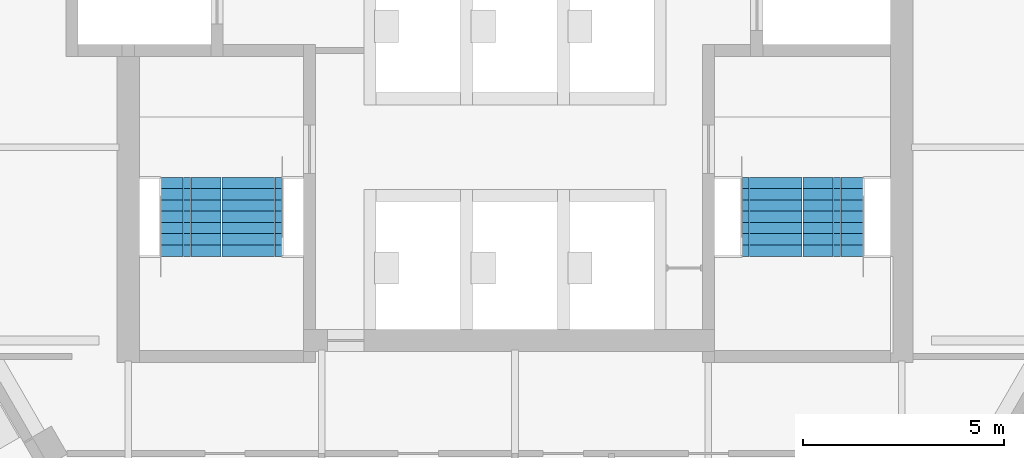
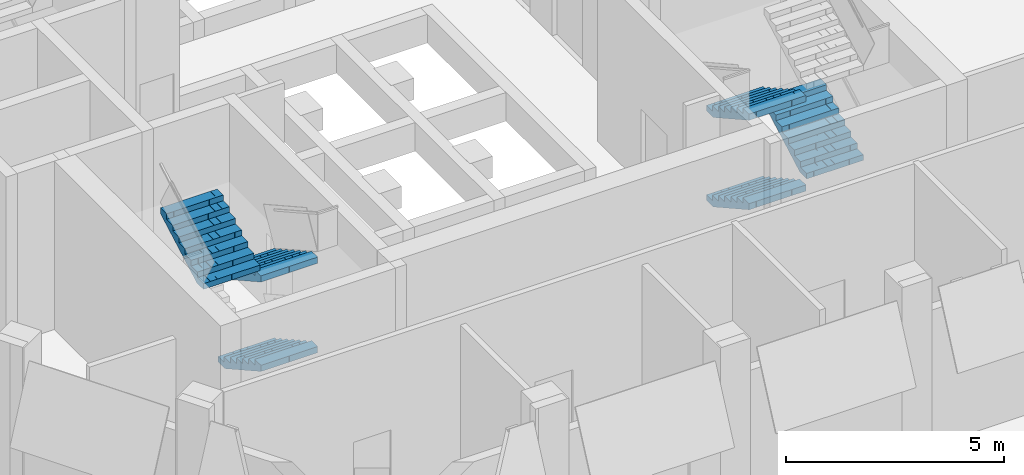
# One storey, part 6 of 9: 6 stair flights, 2 elements without a shape of their own.
"""IFC4 building model written with IfcOpenShell, lengths in metres."""

from ifc_helpers import new_model, si_unit, direction, frame, origin, place, context, subcontext, project, spatial, polyline, outline, extrude, material, type_object, element, aggregate, save


model = new_model("IFC4")

# Units and contexts
model_context = context("Model", 3, precision=1e-05, world=origin(), true_north=direction((0.0, 1.0)))
body_context = subcontext(model_context, "Body", "Model", "MODEL_VIEW")
ifc_project = project(units=[si_unit("LENGTHUNIT", "METRE"), si_unit("AREAUNIT", "SQUARE_METRE"), si_unit("VOLUMEUNIT", "CUBIC_METRE"), si_unit("PLANEANGLEUNIT", "RADIAN"), si_unit("MASSUNIT", "GRAM", prefix="KILO")], contexts=[model_context])

# Site, building, storey
site_placement = place(None, origin())
site = spatial("IfcSite", under=ifc_project, at=site_placement, CompositionType="ELEMENT")
building_placement = place(site_placement, origin())
building = spatial("IfcBuilding", under=site, at=building_placement, Name="Kolab Exchange Tower", CompositionType="ELEMENT")
storey_placement = place(building_placement, frame((0.0, 0.0, 296.89990234375)))
storey = spatial("IfcBuildingStorey", under=building, at=storey_placement, Name="L67", CompositionType="ELEMENT", Elevation=296.89990234375)

# Stair, stair flights
ifc_material = material(Name="Concrete C50/60", Category="concrete")
stair_type_1 = type_object("IfcStairType", Name="STAIR ST3 RISER 156.2", PredefinedType="DOUBLE_RETURN_STAIR", material=ifc_material)
stair_1_placement = place(storey_placement, origin())
stair_1 = element("IfcStair", 1, at=stair_1_placement, inside=storey, type_object=stair_type_1, Name="Stair 3", PredefinedType="DOUBLE_RETURN_STAIR")
stair_flight_type = type_object("IfcStairFlightType", Name="STAIR FLIGHT 1500 RISER 156.2", PredefinedType="STRAIGHT", material=ifc_material)
stair_flight_1_placement = place(storey_placement, frame((-6.527587890625, -5.550048828125, 0.0), z_axis=(0.0, 0.0, 1.0), x_axis=(0.0, -1.0, 0.0)))
stair_flight_1 = element("IfcStairFlight", 2, at=stair_flight_1_placement, type_object=stair_flight_type, Name="ST3 flight 1", NumberOfRisers=8, NumberOfTreads=7, PredefinedType="STRAIGHT", RiserHeight=0.15625, TreadLength=0.28, context=body_context, shape_type="SweptSolid", body=[
    extrude(outline(polyline([(0.0, 0.0), (0.0, 0.15625), (0.280029296875, 0.15625), (0.280029296875, 0.3125), (0.56005859375, 0.3125), (0.56005859375, 0.46875), (0.840087890625, 0.46875), (0.840087890625, 0.625), (1.1201171875, 0.625), (1.1201171875, 0.78125), (1.39990234375, 0.78125), (1.39990234375, 0.9375), (1.679931640625, 0.9375), (1.679931640625, 1.09375), (1.9599609375, 1.09375), (1.9599609375, 1.25), (1.9599609375, 0.922119140625), (0.3076171875, 0.0), (0.0, 0.0)])), frame((0.0, 0.75, 0.0), z_axis=(0.0, -1.0, 0.0), x_axis=(1.0, 0.0, 0.0)), (0.0, 0.0, 1.0), 0.185791015625),
    extrude(outline(polyline([(0.0, 0.0), (0.0, 0.15625), (0.280029296875, 0.15625), (0.280029296875, 0.3125), (0.56005859375, 0.3125), (0.56005859375, 0.46875), (0.840087890625, 0.46875), (0.840087890625, 0.625), (1.1201171875, 0.625), (1.1201171875, 0.78125), (1.39990234375, 0.78125), (1.39990234375, 0.9375), (1.679931640625, 0.9375), (1.679931640625, 1.09375), (1.9599609375, 1.09375), (1.9599609375, 1.25), (1.9599609375, 0.922119140625), (0.3076171875, 0.0), (0.0, 0.0)])), frame((0.0, 0.562255859375, 0.0), z_axis=(0.0, -1.0, 0.0), x_axis=(1.0, 0.0, 0.0)), (0.0, 0.0, 1.0), 0.185791015625),
    extrude(outline(polyline([(0.0, 0.0), (0.0, 0.15625), (0.280029296875, 0.15625), (0.280029296875, 0.3125), (0.56005859375, 0.3125), (0.56005859375, 0.46875), (0.840087890625, 0.46875), (0.840087890625, 0.625), (1.1201171875, 0.625), (1.1201171875, 0.78125), (1.39990234375, 0.78125), (1.39990234375, 0.9375), (1.679931640625, 0.9375), (1.679931640625, 1.09375), (1.9599609375, 1.09375), (1.9599609375, 1.25), (1.9599609375, 0.922119140625), (0.3076171875, 0.0), (0.0, 0.0)])), frame((0.0, 0.37451171875, 0.0), z_axis=(0.0, -1.0, 0.0), x_axis=(1.0, 0.0, 0.0)), (0.0, 0.0, 1.0), 0.185791015625),
    extrude(outline(polyline([(0.0, 0.0), (0.0, 0.15625), (0.280029296875, 0.15625), (0.280029296875, 0.3125), (0.56005859375, 0.3125), (0.56005859375, 0.46875), (0.840087890625, 0.46875), (0.840087890625, 0.625), (1.1201171875, 0.625), (1.1201171875, 0.78125), (1.39990234375, 0.78125), (1.39990234375, 0.9375), (1.679931640625, 0.9375), (1.679931640625, 1.09375), (1.9599609375, 1.09375), (1.9599609375, 1.25), (1.9599609375, 0.922119140625), (0.3076171875, 0.0), (0.0, 0.0)])), frame((0.0, 0.186767578125, 0.0), z_axis=(0.0, -1.0, 0.0), x_axis=(1.0, 0.0, 0.0)), (0.0, 0.0, 1.0), 0.185791015625),
    extrude(outline(polyline([(0.0, 0.0), (0.0, 0.15625), (0.280029296875, 0.15625), (0.280029296875, 0.3125), (0.56005859375, 0.3125), (0.56005859375, 0.46875), (0.840087890625, 0.46875), (0.840087890625, 0.625), (1.1201171875, 0.625), (1.1201171875, 0.78125), (1.39990234375, 0.78125), (1.39990234375, 0.9375), (1.679931640625, 0.9375), (1.679931640625, 1.09375), (1.9599609375, 1.09375), (1.9599609375, 1.25), (1.9599609375, 0.922119140625), (0.3076171875, 0.0), (0.0, 0.0)])), frame((0.0, -0.0009765625, 0.0), z_axis=(0.0, -1.0, 0.0), x_axis=(1.0, 0.0, 0.0)), (0.0, 0.0, 1.0), 0.185791015625),
    extrude(outline(polyline([(0.0, 0.0), (0.0, 0.15625), (0.280029296875, 0.15625), (0.280029296875, 0.3125), (0.56005859375, 0.3125), (0.56005859375, 0.46875), (0.840087890625, 0.46875), (0.840087890625, 0.625), (1.1201171875, 0.625), (1.1201171875, 0.78125), (1.39990234375, 0.78125), (1.39990234375, 0.9375), (1.679931640625, 0.9375), (1.679931640625, 1.09375), (1.9599609375, 1.09375), (1.9599609375, 1.25), (1.9599609375, 0.922119140625), (0.3076171875, 0.0), (0.0, 0.0)])), frame((0.0, -0.188720703125, 0.0), z_axis=(0.0, -1.0, 0.0), x_axis=(1.0, 0.0, 0.0)), (0.0, 0.0, 1.0), 0.185791015625),
    extrude(outline(polyline([(0.0, 0.0), (0.0, 0.15625), (0.280029296875, 0.15625), (0.280029296875, 0.3125), (0.56005859375, 0.3125), (0.56005859375, 0.46875), (0.840087890625, 0.46875), (0.840087890625, 0.625), (1.1201171875, 0.625), (1.1201171875, 0.78125), (1.39990234375, 0.78125), (1.39990234375, 0.9375), (1.679931640625, 0.9375), (1.679931640625, 1.09375), (1.9599609375, 1.09375), (1.9599609375, 1.25), (1.9599609375, 0.922119140625), (0.3076171875, 0.0), (0.0, 0.0)])), frame((0.0, -0.37646484375, 0.0), z_axis=(0.0, -1.0, 0.0), x_axis=(1.0, 0.0, 0.0)), (0.0, 0.0, 1.0), 0.185791015625),
    extrude(outline(polyline([(0.0, 0.0), (0.0, 0.15625), (0.280029296875, 0.15625), (0.280029296875, 0.3125), (0.56005859375, 0.3125), (0.56005859375, 0.46875), (0.840087890625, 0.46875), (0.840087890625, 0.625), (1.1201171875, 0.625), (1.1201171875, 0.78125), (1.39990234375, 0.78125), (1.39990234375, 0.9375), (1.679931640625, 0.9375), (1.679931640625, 1.09375), (1.9599609375, 1.09375), (1.9599609375, 1.25), (1.9599609375, 0.922119140625), (0.3076171875, 0.0), (0.0, 0.0)])), frame((0.0, -0.564208984375, 0.0), z_axis=(0.0, -1.0, 0.0), x_axis=(1.0, 0.0, 0.0)), (0.0, 0.0, 1.0), 0.185791015625),
])
stair_flight_2_placement = place(storey_placement, frame((-6.527587890625, -5.550048828125, 2.5), z_axis=(0.0, 0.0, 1.0), x_axis=(0.0, -1.0, 0.0)))
stair_flight_2 = element("IfcStairFlight", 3, at=stair_flight_2_placement, type_object=stair_flight_type, Name="ST3 flight 3", NumberOfRisers=8, NumberOfTreads=7, PredefinedType="STRAIGHT", RiserHeight=0.15625, TreadLength=0.28, context=body_context, shape_type="SweptSolid", body=[
    extrude(outline(polyline([(0.0, 0.0), (0.0, 0.15625), (0.280029296875, 0.15625), (0.280029296875, 0.3125), (0.56005859375, 0.3125), (0.56005859375, 0.46875), (0.840087890625, 0.46875), (0.840087890625, 0.625), (1.1201171875, 0.625), (1.1201171875, 0.78125), (1.39990234375, 0.78125), (1.39990234375, 0.9375), (1.679931640625, 0.9375), (1.679931640625, 1.09375), (1.9599609375, 1.09375), (1.9599609375, 1.25), (1.9599609375, 0.922119140625), (0.3076171875, 0.0), (0.0, 0.0)])), frame((0.0, 0.75, 0.0), z_axis=(0.0, -1.0, 0.0), x_axis=(1.0, 0.0, 0.0)), (0.0, 0.0, 1.0), 0.185791015625),
    extrude(outline(polyline([(0.0, 0.0), (0.0, 0.15625), (0.280029296875, 0.15625), (0.280029296875, 0.3125), (0.56005859375, 0.3125), (0.56005859375, 0.46875), (0.840087890625, 0.46875), (0.840087890625, 0.625), (1.1201171875, 0.625), (1.1201171875, 0.78125), (1.39990234375, 0.78125), (1.39990234375, 0.9375), (1.679931640625, 0.9375), (1.679931640625, 1.09375), (1.9599609375, 1.09375), (1.9599609375, 1.25), (1.9599609375, 0.922119140625), (0.3076171875, 0.0), (0.0, 0.0)])), frame((0.0, 0.562255859375, 0.0), z_axis=(0.0, -1.0, 0.0), x_axis=(1.0, 0.0, 0.0)), (0.0, 0.0, 1.0), 0.185791015625),
    extrude(outline(polyline([(0.0, 0.0), (0.0, 0.15625), (0.280029296875, 0.15625), (0.280029296875, 0.3125), (0.56005859375, 0.3125), (0.56005859375, 0.46875), (0.840087890625, 0.46875), (0.840087890625, 0.625), (1.1201171875, 0.625), (1.1201171875, 0.78125), (1.39990234375, 0.78125), (1.39990234375, 0.9375), (1.679931640625, 0.9375), (1.679931640625, 1.09375), (1.9599609375, 1.09375), (1.9599609375, 1.25), (1.9599609375, 0.922119140625), (0.3076171875, 0.0), (0.0, 0.0)])), frame((0.0, 0.37451171875, 0.0), z_axis=(0.0, -1.0, 0.0), x_axis=(1.0, 0.0, 0.0)), (0.0, 0.0, 1.0), 0.185791015625),
    extrude(outline(polyline([(0.0, 0.0), (0.0, 0.15625), (0.280029296875, 0.15625), (0.280029296875, 0.3125), (0.56005859375, 0.3125), (0.56005859375, 0.46875), (0.840087890625, 0.46875), (0.840087890625, 0.625), (1.1201171875, 0.625), (1.1201171875, 0.78125), (1.39990234375, 0.78125), (1.39990234375, 0.9375), (1.679931640625, 0.9375), (1.679931640625, 1.09375), (1.9599609375, 1.09375), (1.9599609375, 1.25), (1.9599609375, 0.922119140625), (0.3076171875, 0.0), (0.0, 0.0)])), frame((0.0, 0.186767578125, 0.0), z_axis=(0.0, -1.0, 0.0), x_axis=(1.0, 0.0, 0.0)), (0.0, 0.0, 1.0), 0.185791015625),
    extrude(outline(polyline([(0.0, 0.0), (0.0, 0.15625), (0.280029296875, 0.15625), (0.280029296875, 0.3125), (0.56005859375, 0.3125), (0.56005859375, 0.46875), (0.840087890625, 0.46875), (0.840087890625, 0.625), (1.1201171875, 0.625), (1.1201171875, 0.78125), (1.39990234375, 0.78125), (1.39990234375, 0.9375), (1.679931640625, 0.9375), (1.679931640625, 1.09375), (1.9599609375, 1.09375), (1.9599609375, 1.25), (1.9599609375, 0.922119140625), (0.3076171875, 0.0), (0.0, 0.0)])), frame((0.0, -0.0009765625, 0.0), z_axis=(0.0, -1.0, 0.0), x_axis=(1.0, 0.0, 0.0)), (0.0, 0.0, 1.0), 0.185791015625),
    extrude(outline(polyline([(0.0, 0.0), (0.0, 0.15625), (0.280029296875, 0.15625), (0.280029296875, 0.3125), (0.56005859375, 0.3125), (0.56005859375, 0.46875), (0.840087890625, 0.46875), (0.840087890625, 0.625), (1.1201171875, 0.625), (1.1201171875, 0.78125), (1.39990234375, 0.78125), (1.39990234375, 0.9375), (1.679931640625, 0.9375), (1.679931640625, 1.09375), (1.9599609375, 1.09375), (1.9599609375, 1.25), (1.9599609375, 0.922119140625), (0.3076171875, 0.0), (0.0, 0.0)])), frame((0.0, -0.188720703125, 0.0), z_axis=(0.0, -1.0, 0.0), x_axis=(1.0, 0.0, 0.0)), (0.0, 0.0, 1.0), 0.185791015625),
    extrude(outline(polyline([(0.0, 0.0), (0.0, 0.15625), (0.280029296875, 0.15625), (0.280029296875, 0.3125), (0.56005859375, 0.3125), (0.56005859375, 0.46875), (0.840087890625, 0.46875), (0.840087890625, 0.625), (1.1201171875, 0.625), (1.1201171875, 0.78125), (1.39990234375, 0.78125), (1.39990234375, 0.9375), (1.679931640625, 0.9375), (1.679931640625, 1.09375), (1.9599609375, 1.09375), (1.9599609375, 1.25), (1.9599609375, 0.922119140625), (0.3076171875, 0.0), (0.0, 0.0)])), frame((0.0, -0.37646484375, 0.0), z_axis=(0.0, -1.0, 0.0), x_axis=(1.0, 0.0, 0.0)), (0.0, 0.0, 1.0), 0.185791015625),
    extrude(outline(polyline([(0.0, 0.0), (0.0, 0.15625), (0.280029296875, 0.15625), (0.280029296875, 0.3125), (0.56005859375, 0.3125), (0.56005859375, 0.46875), (0.840087890625, 0.46875), (0.840087890625, 0.625), (1.1201171875, 0.625), (1.1201171875, 0.78125), (1.39990234375, 0.78125), (1.39990234375, 0.9375), (1.679931640625, 0.9375), (1.679931640625, 1.09375), (1.9599609375, 1.09375), (1.9599609375, 1.25), (1.9599609375, 0.922119140625), (0.3076171875, 0.0), (0.0, 0.0)])), frame((0.0, -0.564208984375, 0.0), z_axis=(0.0, -1.0, 0.0), x_axis=(1.0, 0.0, 0.0)), (0.0, 0.0, 1.0), 0.185791015625),
])
stair_flight_3_placement = place(storey_placement, frame((-8.047607421875, -7.510009765625, 3.75), z_axis=(0.0, 0.0, 1.0), x_axis=(0.0, 1.0, 0.0)))
stair_flight_3 = element("IfcStairFlight", 4, at=stair_flight_3_placement, type_object=stair_flight_type, Name="ST3 flight 4", NumberOfRisers=8, NumberOfTreads=7, PredefinedType="STRAIGHT", RiserHeight=0.15625, TreadLength=0.28, context=body_context, shape_type="SweptSolid", body=[
    extrude(outline(polyline([(0.0, 0.0), (0.0, 0.15625), (0.280029296875, 0.15625), (0.280029296875, 0.3125), (0.56005859375, 0.3125), (0.56005859375, 0.46875), (0.840087890625, 0.46875), (0.840087890625, 0.625), (1.1201171875, 0.625), (1.1201171875, 0.78125), (1.39990234375, 0.78125), (1.39990234375, 0.9375), (1.679931640625, 0.9375), (1.679931640625, 1.09375), (1.9599609375, 1.09375), (1.9599609375, 1.25), (1.9599609375, 0.922119140625), (0.3076171875, 0.0), (0.0, 0.0)])), frame((0.0, 0.75, 0.0), z_axis=(0.0, -1.0, 0.0), x_axis=(1.0, 0.0, 0.0)), (0.0, 0.0, 1.0), 0.185791015625),
    extrude(outline(polyline([(0.0, 0.0), (0.0, 0.15625), (0.280029296875, 0.15625), (0.280029296875, 0.3125), (0.56005859375, 0.3125), (0.56005859375, 0.46875), (0.840087890625, 0.46875), (0.840087890625, 0.625), (1.1201171875, 0.625), (1.1201171875, 0.78125), (1.39990234375, 0.78125), (1.39990234375, 0.9375), (1.679931640625, 0.9375), (1.679931640625, 1.09375), (1.9599609375, 1.09375), (1.9599609375, 1.25), (1.9599609375, 0.922119140625), (0.3076171875, 0.0), (0.0, 0.0)])), frame((0.0, 0.562255859375, 0.0), z_axis=(0.0, -1.0, 0.0), x_axis=(1.0, 0.0, 0.0)), (0.0, 0.0, 1.0), 0.185791015625),
    extrude(outline(polyline([(0.0, 0.0), (0.0, 0.15625), (0.280029296875, 0.15625), (0.280029296875, 0.3125), (0.56005859375, 0.3125), (0.56005859375, 0.46875), (0.840087890625, 0.46875), (0.840087890625, 0.625), (1.1201171875, 0.625), (1.1201171875, 0.78125), (1.39990234375, 0.78125), (1.39990234375, 0.9375), (1.679931640625, 0.9375), (1.679931640625, 1.09375), (1.9599609375, 1.09375), (1.9599609375, 1.25), (1.9599609375, 0.922119140625), (0.3076171875, 0.0), (0.0, 0.0)])), frame((0.0, 0.37451171875, 0.0), z_axis=(0.0, -1.0, 0.0), x_axis=(1.0, 0.0, 0.0)), (0.0, 0.0, 1.0), 0.185791015625),
    extrude(outline(polyline([(0.0, 0.0), (0.0, 0.15625), (0.280029296875, 0.15625), (0.280029296875, 0.3125), (0.56005859375, 0.3125), (0.56005859375, 0.46875), (0.840087890625, 0.46875), (0.840087890625, 0.625), (1.1201171875, 0.625), (1.1201171875, 0.78125), (1.39990234375, 0.78125), (1.39990234375, 0.9375), (1.679931640625, 0.9375), (1.679931640625, 1.09375), (1.9599609375, 1.09375), (1.9599609375, 1.25), (1.9599609375, 0.922119140625), (0.3076171875, 0.0), (0.0, 0.0)])), frame((0.0, 0.186767578125, 0.0), z_axis=(0.0, -1.0, 0.0), x_axis=(1.0, 0.0, 0.0)), (0.0, 0.0, 1.0), 0.185791015625),
    extrude(outline(polyline([(0.0, 0.0), (0.0, 0.15625), (0.280029296875, 0.15625), (0.280029296875, 0.3125), (0.56005859375, 0.3125), (0.56005859375, 0.46875), (0.840087890625, 0.46875), (0.840087890625, 0.625), (1.1201171875, 0.625), (1.1201171875, 0.78125), (1.39990234375, 0.78125), (1.39990234375, 0.9375), (1.679931640625, 0.9375), (1.679931640625, 1.09375), (1.9599609375, 1.09375), (1.9599609375, 1.25), (1.9599609375, 0.922119140625), (0.3076171875, 0.0), (0.0, 0.0)])), frame((0.0, -0.0009765625, 0.0), z_axis=(0.0, -1.0, 0.0), x_axis=(1.0, 0.0, 0.0)), (0.0, 0.0, 1.0), 0.185791015625),
    extrude(outline(polyline([(0.0, 0.0), (0.0, 0.15625), (0.280029296875, 0.15625), (0.280029296875, 0.3125), (0.56005859375, 0.3125), (0.56005859375, 0.46875), (0.840087890625, 0.46875), (0.840087890625, 0.625), (1.1201171875, 0.625), (1.1201171875, 0.78125), (1.39990234375, 0.78125), (1.39990234375, 0.9375), (1.679931640625, 0.9375), (1.679931640625, 1.09375), (1.9599609375, 1.09375), (1.9599609375, 1.25), (1.9599609375, 0.922119140625), (0.3076171875, 0.0), (0.0, 0.0)])), frame((0.0, -0.188720703125, 0.0), z_axis=(0.0, -1.0, 0.0), x_axis=(1.0, 0.0, 0.0)), (0.0, 0.0, 1.0), 0.185791015625),
    extrude(outline(polyline([(0.0, 0.0), (0.0, 0.15625), (0.280029296875, 0.15625), (0.280029296875, 0.3125), (0.56005859375, 0.3125), (0.56005859375, 0.46875), (0.840087890625, 0.46875), (0.840087890625, 0.625), (1.1201171875, 0.625), (1.1201171875, 0.78125), (1.39990234375, 0.78125), (1.39990234375, 0.9375), (1.679931640625, 0.9375), (1.679931640625, 1.09375), (1.9599609375, 1.09375), (1.9599609375, 1.25), (1.9599609375, 0.922119140625), (0.3076171875, 0.0), (0.0, 0.0)])), frame((0.0, -0.37646484375, 0.0), z_axis=(0.0, -1.0, 0.0), x_axis=(1.0, 0.0, 0.0)), (0.0, 0.0, 1.0), 0.185791015625),
    extrude(outline(polyline([(0.0, 0.0), (0.0, 0.15625), (0.280029296875, 0.15625), (0.280029296875, 0.3125), (0.56005859375, 0.3125), (0.56005859375, 0.46875), (0.840087890625, 0.46875), (0.840087890625, 0.625), (1.1201171875, 0.625), (1.1201171875, 0.78125), (1.39990234375, 0.78125), (1.39990234375, 0.9375), (1.679931640625, 0.9375), (1.679931640625, 1.09375), (1.9599609375, 1.09375), (1.9599609375, 1.25), (1.9599609375, 0.922119140625), (0.3076171875, 0.0), (0.0, 0.0)])), frame((0.0, -0.564208984375, 0.0), z_axis=(0.0, -1.0, 0.0), x_axis=(1.0, 0.0, 0.0)), (0.0, 0.0, 1.0), 0.185791015625),
])
aggregate(stair_1, [stair_flight_1, stair_flight_2, stair_flight_3])

stair_type_2 = type_object("IfcStairType", Name="STAIR ST2 RISER 156.2", PredefinedType="DOUBLE_RETURN_STAIR", material=ifc_material)
stair_2_placement = place(storey_placement, origin())
stair_2 = element("IfcStair", 5, at=stair_2_placement, inside=storey, type_object=stair_type_2, Name="Stair 2", PredefinedType="DOUBLE_RETURN_STAIR")
stair_flight_4_placement = place(storey_placement, frame((6.37744140625, -5.550048828125, 0.0), z_axis=(0.0, 0.0, 1.0), x_axis=(0.0, -1.0, 0.0)))
stair_flight_4 = element("IfcStairFlight", 6, at=stair_flight_4_placement, type_object=stair_flight_type, Name="ST2 flight 1", NumberOfRisers=8, NumberOfTreads=7, PredefinedType="STRAIGHT", RiserHeight=0.15625, TreadLength=0.28, context=body_context, shape_type="SweptSolid", body=[
    extrude(outline(polyline([(0.0, 0.0), (0.0, 0.15625), (0.280029296875, 0.15625), (0.280029296875, 0.3125), (0.56005859375, 0.3125), (0.56005859375, 0.46875), (0.840087890625, 0.46875), (0.840087890625, 0.625), (1.1201171875, 0.625), (1.1201171875, 0.78125), (1.39990234375, 0.78125), (1.39990234375, 0.9375), (1.679931640625, 0.9375), (1.679931640625, 1.09375), (1.9599609375, 1.09375), (1.9599609375, 1.25), (1.9599609375, 0.922119140625), (0.3076171875, 0.0), (0.0, 0.0)])), frame((0.0, 0.75, 0.0), z_axis=(0.0, -1.0, 0.0), x_axis=(1.0, 0.0, 0.0)), (0.0, 0.0, 1.0), 0.185791015625),
    extrude(outline(polyline([(0.0, 0.0), (0.0, 0.15625), (0.280029296875, 0.15625), (0.280029296875, 0.3125), (0.56005859375, 0.3125), (0.56005859375, 0.46875), (0.840087890625, 0.46875), (0.840087890625, 0.625), (1.1201171875, 0.625), (1.1201171875, 0.78125), (1.39990234375, 0.78125), (1.39990234375, 0.9375), (1.679931640625, 0.9375), (1.679931640625, 1.09375), (1.9599609375, 1.09375), (1.9599609375, 1.25), (1.9599609375, 0.922119140625), (0.3076171875, 0.0), (0.0, 0.0)])), frame((0.0, 0.562255859375, 0.0), z_axis=(0.0, -1.0, 0.0), x_axis=(1.0, 0.0, 0.0)), (0.0, 0.0, 1.0), 0.185791015625),
    extrude(outline(polyline([(0.0, 0.0), (0.0, 0.15625), (0.280029296875, 0.15625), (0.280029296875, 0.3125), (0.56005859375, 0.3125), (0.56005859375, 0.46875), (0.840087890625, 0.46875), (0.840087890625, 0.625), (1.1201171875, 0.625), (1.1201171875, 0.78125), (1.39990234375, 0.78125), (1.39990234375, 0.9375), (1.679931640625, 0.9375), (1.679931640625, 1.09375), (1.9599609375, 1.09375), (1.9599609375, 1.25), (1.9599609375, 0.922119140625), (0.3076171875, 0.0), (0.0, 0.0)])), frame((0.0, 0.37451171875, 0.0), z_axis=(0.0, -1.0, 0.0), x_axis=(1.0, 0.0, 0.0)), (0.0, 0.0, 1.0), 0.185791015625),
    extrude(outline(polyline([(0.0, 0.0), (0.0, 0.15625), (0.280029296875, 0.15625), (0.280029296875, 0.3125), (0.56005859375, 0.3125), (0.56005859375, 0.46875), (0.840087890625, 0.46875), (0.840087890625, 0.625), (1.1201171875, 0.625), (1.1201171875, 0.78125), (1.39990234375, 0.78125), (1.39990234375, 0.9375), (1.679931640625, 0.9375), (1.679931640625, 1.09375), (1.9599609375, 1.09375), (1.9599609375, 1.25), (1.9599609375, 0.922119140625), (0.3076171875, 0.0), (0.0, 0.0)])), frame((0.0, 0.186767578125, 0.0), z_axis=(0.0, -1.0, 0.0), x_axis=(1.0, 0.0, 0.0)), (0.0, 0.0, 1.0), 0.185791015625),
    extrude(outline(polyline([(0.0, 0.0), (0.0, 0.15625), (0.280029296875, 0.15625), (0.280029296875, 0.3125), (0.56005859375, 0.3125), (0.56005859375, 0.46875), (0.840087890625, 0.46875), (0.840087890625, 0.625), (1.1201171875, 0.625), (1.1201171875, 0.78125), (1.39990234375, 0.78125), (1.39990234375, 0.9375), (1.679931640625, 0.9375), (1.679931640625, 1.09375), (1.9599609375, 1.09375), (1.9599609375, 1.25), (1.9599609375, 0.922119140625), (0.3076171875, 0.0), (0.0, 0.0)])), frame((0.0, -0.0009765625, 0.0), z_axis=(0.0, -1.0, 0.0), x_axis=(1.0, 0.0, 0.0)), (0.0, 0.0, 1.0), 0.185791015625),
    extrude(outline(polyline([(0.0, 0.0), (0.0, 0.15625), (0.280029296875, 0.15625), (0.280029296875, 0.3125), (0.56005859375, 0.3125), (0.56005859375, 0.46875), (0.840087890625, 0.46875), (0.840087890625, 0.625), (1.1201171875, 0.625), (1.1201171875, 0.78125), (1.39990234375, 0.78125), (1.39990234375, 0.9375), (1.679931640625, 0.9375), (1.679931640625, 1.09375), (1.9599609375, 1.09375), (1.9599609375, 1.25), (1.9599609375, 0.922119140625), (0.3076171875, 0.0), (0.0, 0.0)])), frame((0.0, -0.188720703125, 0.0), z_axis=(0.0, -1.0, 0.0), x_axis=(1.0, 0.0, 0.0)), (0.0, 0.0, 1.0), 0.185791015625),
    extrude(outline(polyline([(0.0, 0.0), (0.0, 0.15625), (0.280029296875, 0.15625), (0.280029296875, 0.3125), (0.56005859375, 0.3125), (0.56005859375, 0.46875), (0.840087890625, 0.46875), (0.840087890625, 0.625), (1.1201171875, 0.625), (1.1201171875, 0.78125), (1.39990234375, 0.78125), (1.39990234375, 0.9375), (1.679931640625, 0.9375), (1.679931640625, 1.09375), (1.9599609375, 1.09375), (1.9599609375, 1.25), (1.9599609375, 0.922119140625), (0.3076171875, 0.0), (0.0, 0.0)])), frame((0.0, -0.37646484375, 0.0), z_axis=(0.0, -1.0, 0.0), x_axis=(1.0, 0.0, 0.0)), (0.0, 0.0, 1.0), 0.185791015625),
    extrude(outline(polyline([(0.0, 0.0), (0.0, 0.15625), (0.280029296875, 0.15625), (0.280029296875, 0.3125), (0.56005859375, 0.3125), (0.56005859375, 0.46875), (0.840087890625, 0.46875), (0.840087890625, 0.625), (1.1201171875, 0.625), (1.1201171875, 0.78125), (1.39990234375, 0.78125), (1.39990234375, 0.9375), (1.679931640625, 0.9375), (1.679931640625, 1.09375), (1.9599609375, 1.09375), (1.9599609375, 1.25), (1.9599609375, 0.922119140625), (0.3076171875, 0.0), (0.0, 0.0)])), frame((0.0, -0.564208984375, 0.0), z_axis=(0.0, -1.0, 0.0), x_axis=(1.0, 0.0, 0.0)), (0.0, 0.0, 1.0), 0.185791015625),
])
stair_flight_5_placement = place(storey_placement, frame((7.8974609375, -7.510009765625, 1.25), z_axis=(0.0, 0.0, 1.0), x_axis=(0.0, 1.0, 0.0)))
stair_flight_5 = element("IfcStairFlight", 7, at=stair_flight_5_placement, type_object=stair_flight_type, Name="ST2 flight 2", NumberOfRisers=8, NumberOfTreads=7, PredefinedType="STRAIGHT", RiserHeight=0.15625, TreadLength=0.28, context=body_context, shape_type="SweptSolid", body=[
    extrude(outline(polyline([(0.0, 0.0), (0.0, 0.15625), (0.280029296875, 0.15625), (0.280029296875, 0.3125), (0.56005859375, 0.3125), (0.56005859375, 0.46875), (0.840087890625, 0.46875), (0.840087890625, 0.625), (1.1201171875, 0.625), (1.1201171875, 0.78125), (1.39990234375, 0.78125), (1.39990234375, 0.9375), (1.679931640625, 0.9375), (1.679931640625, 1.09375), (1.9599609375, 1.09375), (1.9599609375, 1.25), (1.9599609375, 0.922119140625), (0.3076171875, 0.0), (0.0, 0.0)])), frame((0.0, 0.75, 0.0), z_axis=(0.0, -1.0, 0.0), x_axis=(1.0, 0.0, 0.0)), (0.0, 0.0, 1.0), 0.185791015625),
    extrude(outline(polyline([(0.0, 0.0), (0.0, 0.15625), (0.280029296875, 0.15625), (0.280029296875, 0.3125), (0.56005859375, 0.3125), (0.56005859375, 0.46875), (0.840087890625, 0.46875), (0.840087890625, 0.625), (1.1201171875, 0.625), (1.1201171875, 0.78125), (1.39990234375, 0.78125), (1.39990234375, 0.9375), (1.679931640625, 0.9375), (1.679931640625, 1.09375), (1.9599609375, 1.09375), (1.9599609375, 1.25), (1.9599609375, 0.922119140625), (0.3076171875, 0.0), (0.0, 0.0)])), frame((0.0, 0.562255859375, 0.0), z_axis=(0.0, -1.0, 0.0), x_axis=(1.0, 0.0, 0.0)), (0.0, 0.0, 1.0), 0.185791015625),
    extrude(outline(polyline([(0.0, 0.0), (0.0, 0.15625), (0.280029296875, 0.15625), (0.280029296875, 0.3125), (0.56005859375, 0.3125), (0.56005859375, 0.46875), (0.840087890625, 0.46875), (0.840087890625, 0.625), (1.1201171875, 0.625), (1.1201171875, 0.78125), (1.39990234375, 0.78125), (1.39990234375, 0.9375), (1.679931640625, 0.9375), (1.679931640625, 1.09375), (1.9599609375, 1.09375), (1.9599609375, 1.25), (1.9599609375, 0.922119140625), (0.3076171875, 0.0), (0.0, 0.0)])), frame((0.0, 0.37451171875, 0.0), z_axis=(0.0, -1.0, 0.0), x_axis=(1.0, 0.0, 0.0)), (0.0, 0.0, 1.0), 0.185791015625),
    extrude(outline(polyline([(0.0, 0.0), (0.0, 0.15625), (0.280029296875, 0.15625), (0.280029296875, 0.3125), (0.56005859375, 0.3125), (0.56005859375, 0.46875), (0.840087890625, 0.46875), (0.840087890625, 0.625), (1.1201171875, 0.625), (1.1201171875, 0.78125), (1.39990234375, 0.78125), (1.39990234375, 0.9375), (1.679931640625, 0.9375), (1.679931640625, 1.09375), (1.9599609375, 1.09375), (1.9599609375, 1.25), (1.9599609375, 0.922119140625), (0.3076171875, 0.0), (0.0, 0.0)])), frame((0.0, 0.186767578125, 0.0), z_axis=(0.0, -1.0, 0.0), x_axis=(1.0, 0.0, 0.0)), (0.0, 0.0, 1.0), 0.185791015625),
    extrude(outline(polyline([(0.0, 0.0), (0.0, 0.15625), (0.280029296875, 0.15625), (0.280029296875, 0.3125), (0.56005859375, 0.3125), (0.56005859375, 0.46875), (0.840087890625, 0.46875), (0.840087890625, 0.625), (1.1201171875, 0.625), (1.1201171875, 0.78125), (1.39990234375, 0.78125), (1.39990234375, 0.9375), (1.679931640625, 0.9375), (1.679931640625, 1.09375), (1.9599609375, 1.09375), (1.9599609375, 1.25), (1.9599609375, 0.922119140625), (0.3076171875, 0.0), (0.0, 0.0)])), frame((0.0, -0.0009765625, 0.0), z_axis=(0.0, -1.0, 0.0), x_axis=(1.0, 0.0, 0.0)), (0.0, 0.0, 1.0), 0.185791015625),
    extrude(outline(polyline([(0.0, 0.0), (0.0, 0.15625), (0.280029296875, 0.15625), (0.280029296875, 0.3125), (0.56005859375, 0.3125), (0.56005859375, 0.46875), (0.840087890625, 0.46875), (0.840087890625, 0.625), (1.1201171875, 0.625), (1.1201171875, 0.78125), (1.39990234375, 0.78125), (1.39990234375, 0.9375), (1.679931640625, 0.9375), (1.679931640625, 1.09375), (1.9599609375, 1.09375), (1.9599609375, 1.25), (1.9599609375, 0.922119140625), (0.3076171875, 0.0), (0.0, 0.0)])), frame((0.0, -0.188720703125, 0.0), z_axis=(0.0, -1.0, 0.0), x_axis=(1.0, 0.0, 0.0)), (0.0, 0.0, 1.0), 0.185791015625),
    extrude(outline(polyline([(0.0, 0.0), (0.0, 0.15625), (0.280029296875, 0.15625), (0.280029296875, 0.3125), (0.56005859375, 0.3125), (0.56005859375, 0.46875), (0.840087890625, 0.46875), (0.840087890625, 0.625), (1.1201171875, 0.625), (1.1201171875, 0.78125), (1.39990234375, 0.78125), (1.39990234375, 0.9375), (1.679931640625, 0.9375), (1.679931640625, 1.09375), (1.9599609375, 1.09375), (1.9599609375, 1.25), (1.9599609375, 0.922119140625), (0.3076171875, 0.0), (0.0, 0.0)])), frame((0.0, -0.37646484375, 0.0), z_axis=(0.0, -1.0, 0.0), x_axis=(1.0, 0.0, 0.0)), (0.0, 0.0, 1.0), 0.185791015625),
    extrude(outline(polyline([(0.0, 0.0), (0.0, 0.15625), (0.280029296875, 0.15625), (0.280029296875, 0.3125), (0.56005859375, 0.3125), (0.56005859375, 0.46875), (0.840087890625, 0.46875), (0.840087890625, 0.625), (1.1201171875, 0.625), (1.1201171875, 0.78125), (1.39990234375, 0.78125), (1.39990234375, 0.9375), (1.679931640625, 0.9375), (1.679931640625, 1.09375), (1.9599609375, 1.09375), (1.9599609375, 1.25), (1.9599609375, 0.922119140625), (0.3076171875, 0.0), (0.0, 0.0)])), frame((0.0, -0.564208984375, 0.0), z_axis=(0.0, -1.0, 0.0), x_axis=(1.0, 0.0, 0.0)), (0.0, 0.0, 1.0), 0.185791015625),
])
stair_flight_6_placement = place(storey_placement, frame((6.37744140625, -5.550048828125, 2.5), z_axis=(0.0, 0.0, 1.0), x_axis=(0.0, -1.0, 0.0)))
stair_flight_6 = element("IfcStairFlight", 8, at=stair_flight_6_placement, type_object=stair_flight_type, Name="ST2 flight 3", NumberOfRisers=8, NumberOfTreads=7, PredefinedType="STRAIGHT", RiserHeight=0.15625, TreadLength=0.28, context=body_context, shape_type="SweptSolid", body=[
    extrude(outline(polyline([(0.0, 0.0), (0.0, 0.15625), (0.280029296875, 0.15625), (0.280029296875, 0.3125), (0.56005859375, 0.3125), (0.56005859375, 0.46875), (0.840087890625, 0.46875), (0.840087890625, 0.625), (1.1201171875, 0.625), (1.1201171875, 0.78125), (1.39990234375, 0.78125), (1.39990234375, 0.9375), (1.679931640625, 0.9375), (1.679931640625, 1.09375), (1.9599609375, 1.09375), (1.9599609375, 1.25), (1.9599609375, 0.922119140625), (0.3076171875, 0.0), (0.0, 0.0)])), frame((0.0, 0.75, 0.0), z_axis=(0.0, -1.0, 0.0), x_axis=(1.0, 0.0, 0.0)), (0.0, 0.0, 1.0), 0.185791015625),
    extrude(outline(polyline([(0.0, 0.0), (0.0, 0.15625), (0.280029296875, 0.15625), (0.280029296875, 0.3125), (0.56005859375, 0.3125), (0.56005859375, 0.46875), (0.840087890625, 0.46875), (0.840087890625, 0.625), (1.1201171875, 0.625), (1.1201171875, 0.78125), (1.39990234375, 0.78125), (1.39990234375, 0.9375), (1.679931640625, 0.9375), (1.679931640625, 1.09375), (1.9599609375, 1.09375), (1.9599609375, 1.25), (1.9599609375, 0.922119140625), (0.3076171875, 0.0), (0.0, 0.0)])), frame((0.0, 0.562255859375, 0.0), z_axis=(0.0, -1.0, 0.0), x_axis=(1.0, 0.0, 0.0)), (0.0, 0.0, 1.0), 0.185791015625),
    extrude(outline(polyline([(0.0, 0.0), (0.0, 0.15625), (0.280029296875, 0.15625), (0.280029296875, 0.3125), (0.56005859375, 0.3125), (0.56005859375, 0.46875), (0.840087890625, 0.46875), (0.840087890625, 0.625), (1.1201171875, 0.625), (1.1201171875, 0.78125), (1.39990234375, 0.78125), (1.39990234375, 0.9375), (1.679931640625, 0.9375), (1.679931640625, 1.09375), (1.9599609375, 1.09375), (1.9599609375, 1.25), (1.9599609375, 0.922119140625), (0.3076171875, 0.0), (0.0, 0.0)])), frame((0.0, 0.37451171875, 0.0), z_axis=(0.0, -1.0, 0.0), x_axis=(1.0, 0.0, 0.0)), (0.0, 0.0, 1.0), 0.185791015625),
    extrude(outline(polyline([(0.0, 0.0), (0.0, 0.15625), (0.280029296875, 0.15625), (0.280029296875, 0.3125), (0.56005859375, 0.3125), (0.56005859375, 0.46875), (0.840087890625, 0.46875), (0.840087890625, 0.625), (1.1201171875, 0.625), (1.1201171875, 0.78125), (1.39990234375, 0.78125), (1.39990234375, 0.9375), (1.679931640625, 0.9375), (1.679931640625, 1.09375), (1.9599609375, 1.09375), (1.9599609375, 1.25), (1.9599609375, 0.922119140625), (0.3076171875, 0.0), (0.0, 0.0)])), frame((0.0, 0.186767578125, 0.0), z_axis=(0.0, -1.0, 0.0), x_axis=(1.0, 0.0, 0.0)), (0.0, 0.0, 1.0), 0.185791015625),
    extrude(outline(polyline([(0.0, 0.0), (0.0, 0.15625), (0.280029296875, 0.15625), (0.280029296875, 0.3125), (0.56005859375, 0.3125), (0.56005859375, 0.46875), (0.840087890625, 0.46875), (0.840087890625, 0.625), (1.1201171875, 0.625), (1.1201171875, 0.78125), (1.39990234375, 0.78125), (1.39990234375, 0.9375), (1.679931640625, 0.9375), (1.679931640625, 1.09375), (1.9599609375, 1.09375), (1.9599609375, 1.25), (1.9599609375, 0.922119140625), (0.3076171875, 0.0), (0.0, 0.0)])), frame((0.0, -0.0009765625, 0.0), z_axis=(0.0, -1.0, 0.0), x_axis=(1.0, 0.0, 0.0)), (0.0, 0.0, 1.0), 0.185791015625),
    extrude(outline(polyline([(0.0, 0.0), (0.0, 0.15625), (0.280029296875, 0.15625), (0.280029296875, 0.3125), (0.56005859375, 0.3125), (0.56005859375, 0.46875), (0.840087890625, 0.46875), (0.840087890625, 0.625), (1.1201171875, 0.625), (1.1201171875, 0.78125), (1.39990234375, 0.78125), (1.39990234375, 0.9375), (1.679931640625, 0.9375), (1.679931640625, 1.09375), (1.9599609375, 1.09375), (1.9599609375, 1.25), (1.9599609375, 0.922119140625), (0.3076171875, 0.0), (0.0, 0.0)])), frame((0.0, -0.188720703125, 0.0), z_axis=(0.0, -1.0, 0.0), x_axis=(1.0, 0.0, 0.0)), (0.0, 0.0, 1.0), 0.185791015625),
    extrude(outline(polyline([(0.0, 0.0), (0.0, 0.15625), (0.280029296875, 0.15625), (0.280029296875, 0.3125), (0.56005859375, 0.3125), (0.56005859375, 0.46875), (0.840087890625, 0.46875), (0.840087890625, 0.625), (1.1201171875, 0.625), (1.1201171875, 0.78125), (1.39990234375, 0.78125), (1.39990234375, 0.9375), (1.679931640625, 0.9375), (1.679931640625, 1.09375), (1.9599609375, 1.09375), (1.9599609375, 1.25), (1.9599609375, 0.922119140625), (0.3076171875, 0.0), (0.0, 0.0)])), frame((0.0, -0.37646484375, 0.0), z_axis=(0.0, -1.0, 0.0), x_axis=(1.0, 0.0, 0.0)), (0.0, 0.0, 1.0), 0.185791015625),
    extrude(outline(polyline([(0.0, 0.0), (0.0, 0.15625), (0.280029296875, 0.15625), (0.280029296875, 0.3125), (0.56005859375, 0.3125), (0.56005859375, 0.46875), (0.840087890625, 0.46875), (0.840087890625, 0.625), (1.1201171875, 0.625), (1.1201171875, 0.78125), (1.39990234375, 0.78125), (1.39990234375, 0.9375), (1.679931640625, 0.9375), (1.679931640625, 1.09375), (1.9599609375, 1.09375), (1.9599609375, 1.25), (1.9599609375, 0.922119140625), (0.3076171875, 0.0), (0.0, 0.0)])), frame((0.0, -0.564208984375, 0.0), z_axis=(0.0, -1.0, 0.0), x_axis=(1.0, 0.0, 0.0)), (0.0, 0.0, 1.0), 0.185791015625),
])
aggregate(stair_2, [stair_flight_4, stair_flight_5, stair_flight_6])

save(model, "model.ifc")
